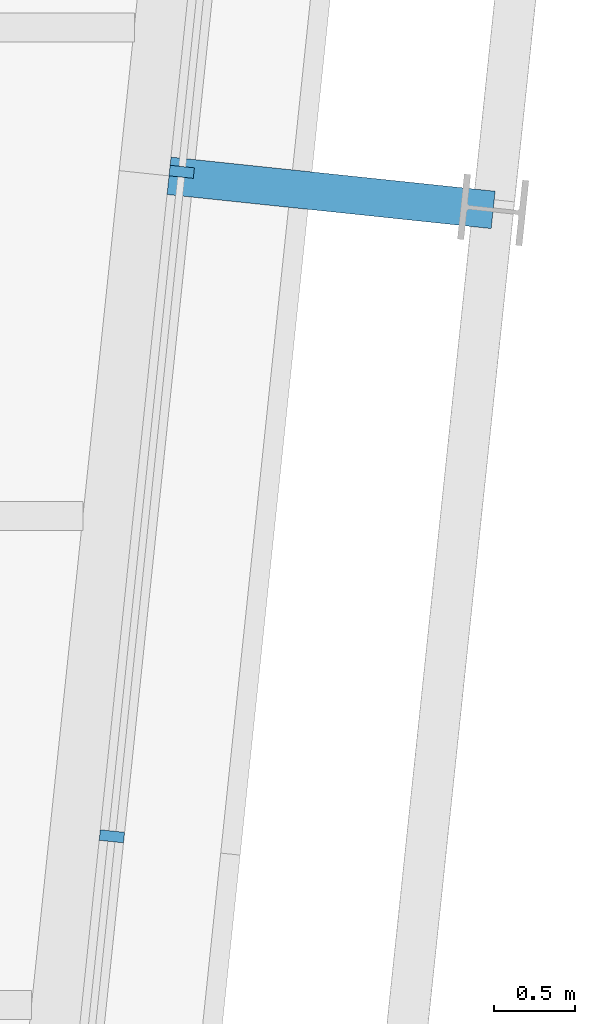
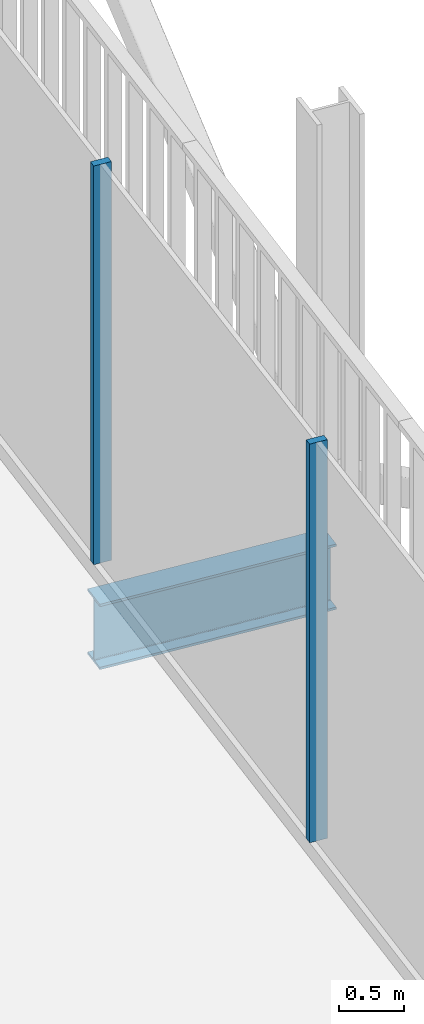
# One storey, part 11 of 21: 2 members, 1 beam, 1 element without a shape of its own.
"""IFC4 building model written with IfcOpenShell, lengths in metres."""

from ifc_helpers import new_model, si_unit, direction, frame, origin, origin_2d, place, context, subcontext, project, spatial, rectangle, i_section, extrude, material, layer, layer_set, material_profile, profile_set, type_object, element, aggregate, save


model = new_model("IFC4")

# Units and contexts
model_context = context("Model", 3, precision=1e-05, world=origin(), true_north=direction((0.0, 1.0)))
body_context = subcontext(model_context, "Body", "Model", "MODEL_VIEW")
ifc_project = project(units=[si_unit("LENGTHUNIT", "METRE"), si_unit("AREAUNIT", "SQUARE_METRE"), si_unit("VOLUMEUNIT", "CUBIC_METRE"), si_unit("PLANEANGLEUNIT", "RADIAN"), si_unit("MASSUNIT", "GRAM", prefix="KILO")], contexts=[model_context])

# Site, building, storey
site_placement = place(None, origin())
site = spatial("IfcSite", under=ifc_project, at=site_placement, CompositionType="ELEMENT")
building_placement = place(site_placement, origin())
building = spatial("IfcBuilding", under=site, at=building_placement, Name="Millrace Tower", CompositionType="ELEMENT")
storey_placement = place(building_placement, frame((0.0, 0.0, 283.800048828125)))
storey = spatial("IfcBuildingStorey", under=building, at=storey_placement, Name="L65", CompositionType="ELEMENT", Elevation=283.800048828125)

# Curtain wall, members
ifc_material_1 = material(Name="Aluminium and glass", Category="aluminium")
ifc_layer = layer(ifc_material_1, 0.14990234375)
ifc_layer_set = layer_set([ifc_layer], Name="Aluminium and glass")
curtain_wall_type = type_object("IfcCurtainWallType", Name="CW-1 office vision curtain wall", PredefinedType="NOTDEFINED", material=ifc_layer_set)
curtain_wall_placement = place(storey_placement, origin())
curtain_wall = element("IfcCurtainWall", 1, at=curtain_wall_placement, inside=storey, type_object=curtain_wall_type, Name="Curtain wall E-F04 L65", PredefinedType="NOTDEFINED")
ifc_material_2 = material(Name="Aluminium", Category="aluminium")
ifc_material_profile_1 = material_profile(ifc_material_2, rectangle(XDim=0.06494140625, YDim=0.14990234375, at=origin_2d()))
ifc_profile_set_1 = profile_set([ifc_material_profile_1], Name="Aluminium")
member_type = type_object("IfcMemberType", Name="CW-1 office vision curtain wall mullion", PredefinedType="MULLION", material=ifc_profile_set_1)
member_1_placement = place(storey_placement, frame((23.11767578125, 4.03515625, 0.139892578125), z_axis=(0.0, 0.0, 1.0), x_axis=(0.104528455196, 0.994521896217, 0.0)))
member_1 = element("IfcMember", 2, at=member_1_placement, type_object=member_type, Name="CW1 mullion E-F04.6", PredefinedType="MULLION", context=body_context, shape_type="SweptSolid", body=[
    extrude(rectangle(XDim=0.06494140625, YDim=0.14990234375, at=origin_2d()), origin(), (0.0, 0.0, 1.0), 3.760009765625),
])
member_2_placement = place(storey_placement, frame((23.546142578125, 8.11279296875, 0.139892578125), z_axis=(0.0, 0.0, 1.0), x_axis=(0.104528455196, 0.994521896217, 0.0)))
member_2 = element("IfcMember", 3, at=member_2_placement, type_object=member_type, Name="CW1 mullion E-F04.7", PredefinedType="MULLION", context=body_context, shape_type="SweptSolid", body=[
    extrude(rectangle(XDim=0.06494140625, YDim=0.14990234375, at=origin_2d()), origin(), (0.0, 0.0, 1.0), 3.760009765625),
])
aggregate(curtain_wall, [member_1, member_2])

# Beam
ifc_material_3 = material(Name="Steel ASTM A992 Grade 50", Category="steel")
ifc_material_profile_2 = material_profile(ifc_material_3, i_section(OverallWidth=0.23046875, OverallDepth=0.6171875, WebThickness=0.01318359375, FlangeThickness=0.022216796875, FilletRadius=0.012939453125, at=origin_2d()))
ifc_profile_set_2 = profile_set([ifc_material_profile_2], Name="Steel ASTM A992 Grade 50")
beam_type = type_object("IfcBeamType", Name="Link beam W24x94", PredefinedType="BEAM", material=ifc_profile_set_2)
beam_placement = place(storey_placement, frame((23.46826171875, 8.08837890625, -0.46875), z_axis=(0.994512808172, -0.104614886044, 0.0), x_axis=(0.104614886044, 0.994512808172, 0.0)))
element("IfcBeam", 4, at=beam_placement, inside=storey, type_object=beam_type, Name="LNK-E-L65-S1-10", PredefinedType="BEAM", context=body_context, shape_type="SweptSolid", body=[
    extrude(i_section(OverallWidth=0.23046875, OverallDepth=0.6171875, WebThickness=0.01318359375, FlangeThickness=0.022216796875, FilletRadius=0.012939453125, at=origin_2d()), origin(), (0.0, 0.0, 1.0), 2.0),
])

save(model, "model.ifc")
